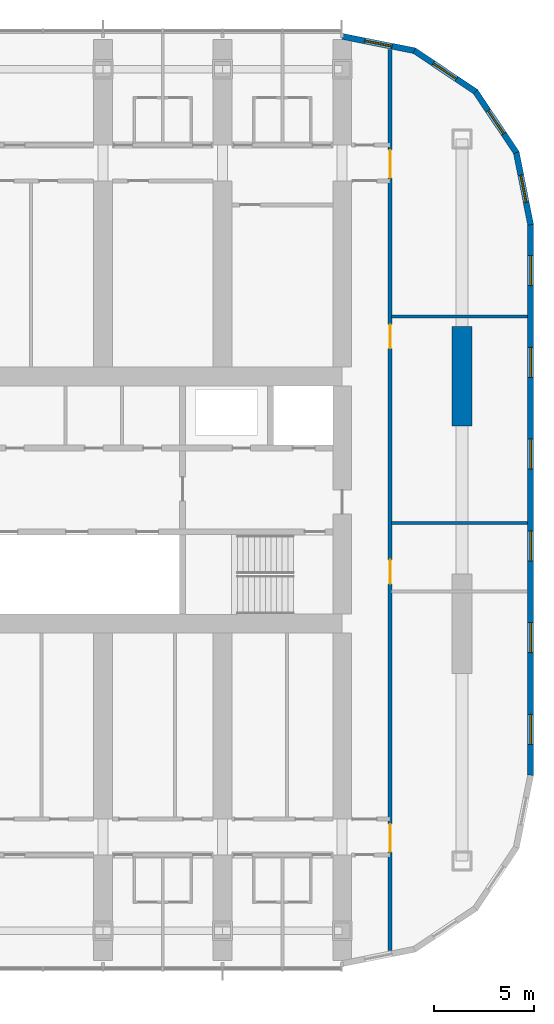
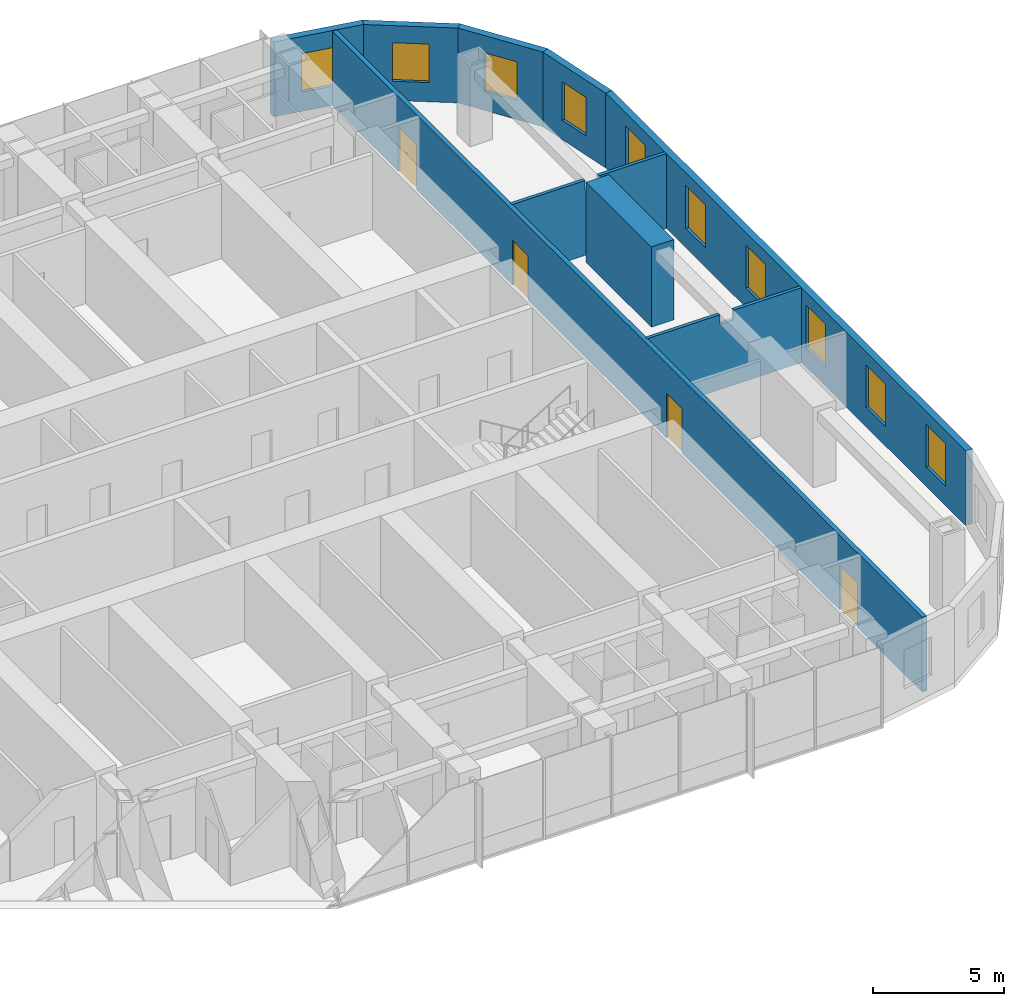
# One storey, part 16 of 21: 10 windows, 9 walls, 4 doors, 14 openings.
"""IFC4 building model written with IfcOpenShell, lengths in metres."""

from ifc_helpers import new_model, si_unit, direction, frame, frame_2d, origin, place, context, subcontext, project, spatial, polyline, rectangle, outline, extrude, material, layer, layer_set, type_object, element, fill, save


model = new_model("IFC4")

# Units and contexts
model_context = context("Model", 3, precision=1e-05, world=origin(), true_north=direction((0.0, 1.0)))
body_context = subcontext(model_context, "Body", "Model", "MODEL_VIEW")
ifc_project = project(units=[si_unit("LENGTHUNIT", "METRE"), si_unit("AREAUNIT", "SQUARE_METRE"), si_unit("VOLUMEUNIT", "CUBIC_METRE"), si_unit("PLANEANGLEUNIT", "RADIAN"), si_unit("MASSUNIT", "GRAM", prefix="KILO")], contexts=[model_context])

# Site, building, storey
site_placement = place(None, origin())
site = spatial("IfcSite", under=ifc_project, at=site_placement, CompositionType="ELEMENT")
building_placement = place(site_placement, origin())
building = spatial("IfcBuilding", under=site, at=building_placement, Name="Orbita Commons", CompositionType="ELEMENT")
storey_placement = place(building_placement, frame((0.0, 0.0, 91.89990234375)))
storey = spatial("IfcBuildingStorey", under=building, at=storey_placement, Name="L22", CompositionType="ELEMENT", Elevation=91.89990234375)

# Wall, openings, doors
ifc_material_1 = material(Name="Concrete blockwork", Category="masonry")
ifc_layer_1 = layer(ifc_material_1, 0.199951171875)
ifc_layer_set_1 = layer_set([ifc_layer_1], Name="Concrete blockwork")
wall_type_1 = type_object("IfcWallType", Name="Corridor wall 200 blockwork", PredefinedType="SOLIDWALL", material=ifc_layer_set_1)
wall_1_placement = place(storey_placement, frame((68.39990234375, 9.4052734375, 0.0), z_axis=(0.0, 0.0, 1.0), x_axis=(0.0, 1.0, 0.0)))
wall_1 = element("IfcWall", 1, at=wall_1_placement, inside=storey, type_object=wall_type_1, Name="Corridor wall 200 blockwork L22", PredefinedType="SOLIDWALL", context=body_context, shape_type="SweptSolid", body=[
    extrude(rectangle(XDim=45.189453125, YDim=0.199951171875, at=frame_2d((22.5947265625, 0.0))), origin(), (0.0, 0.0, 1.0), 3.5),
])
opening_1_placement = place(wall_1_placement, frame((18.394775390625, 0.0, 0.0)))
opening_1 = element("IfcOpeningElement", 2, at=opening_1_placement, cuts=wall_1, Name="Opening D15", PredefinedType="OPENING", context=body_context, shape_type="SweptSolid", body=[
    extrude(rectangle(XDim=1.199951171875, YDim=2.10009765625, at=frame_2d((0.60009765625, 1.050048828125))), frame((0.0, 0.10986328125, 0.0), z_axis=(0.0, -1.0, 0.0), x_axis=(1.0, 0.0, 0.0)), (0.0, 0.0, 1.0), 0.219970703125),
])
opening_2_placement = place(wall_1_placement, frame((30.19482421875, 0.0, 0.0)))
opening_2 = element("IfcOpeningElement", 3, at=opening_2_placement, cuts=wall_1, Name="Opening D15", PredefinedType="OPENING", context=body_context, shape_type="SweptSolid", body=[
    extrude(rectangle(XDim=1.199951171875, YDim=2.10009765625, at=frame_2d((0.60009765625, 1.050048828125))), frame((0.0, 0.10986328125, 0.0), z_axis=(0.0, -1.0, 0.0), x_axis=(1.0, 0.0, 0.0)), (0.0, 0.0, 1.0), 0.219970703125),
])
opening_3_placement = place(wall_1_placement, frame((4.94482421875, 0.0, 0.0)))
opening_3 = element("IfcOpeningElement", 4, at=opening_3_placement, cuts=wall_1, Name="Opening D08", PredefinedType="OPENING", context=body_context, shape_type="SweptSolid", body=[
    extrude(rectangle(XDim=1.39990234375, YDim=2.10009765625, at=frame_2d((0.699951171875, 1.050048828125))), frame((0.0, 0.10986328125, 0.0), z_axis=(0.0, -1.0, 0.0), x_axis=(1.0, 0.0, 0.0)), (0.0, 0.0, 1.0), 0.219970703125),
])
opening_4_placement = place(wall_1_placement, frame((38.74462890625, 0.0, 0.0)))
opening_4 = element("IfcOpeningElement", 5, at=opening_4_placement, cuts=wall_1, Name="Opening D08", PredefinedType="OPENING", context=body_context, shape_type="SweptSolid", body=[
    extrude(rectangle(XDim=1.39990234375, YDim=2.10009765625, at=frame_2d((0.699951171875, 1.050048828125))), frame((0.0, 0.10986328125, 0.0), z_axis=(0.0, -1.0, 0.0), x_axis=(1.0, 0.0, 0.0)), (0.0, 0.0, 1.0), 0.219970703125),
])
ifc_material_2 = material(Name="Steel-faced fire door leaf", Category="steel")
door_type_1 = type_object("IfcDoorType", Name="Corridor door 20 min 1200x2100", OperationType="SINGLE_SWING_LEFT", PredefinedType="DOOR", material=ifc_material_2)
door_1_placement = place(opening_1_placement, origin())
door_1 = element("IfcDoor", 6, at=door_1_placement, inside=storey, type_object=door_type_1, Name="Mountain-view lounge door", OperationType="SINGLE_SWING_LEFT", OverallHeight=2.10009765625, OverallWidth=1.199951171875, PredefinedType="DOOR", context=body_context, shape_type="SweptSolid", body=[
    extrude(rectangle(XDim=1.199951171875, YDim=2.10009765625, at=frame_2d((0.60009765625, 1.050048828125))), frame((0.0, 0.02490234375, 0.0), z_axis=(0.0, -1.0, 0.0), x_axis=(1.0, 0.0, 0.0)), (0.0, 0.0, 1.0), 0.050048828125),
])
fill(opening_1, door_1)
door_2_placement = place(opening_2_placement, origin())
door_2 = element("IfcDoor", 7, at=door_2_placement, inside=storey, type_object=door_type_1, Name="Reading room door", OperationType="SINGLE_SWING_LEFT", OverallHeight=2.10009765625, OverallWidth=1.199951171875, PredefinedType="DOOR", context=body_context, shape_type="SweptSolid", body=[
    extrude(rectangle(XDim=1.199951171875, YDim=2.10009765625, at=frame_2d((0.60009765625, 1.050048828125))), frame((0.0, 0.02490234375, 0.0), z_axis=(0.0, -1.0, 0.0), x_axis=(1.0, 0.0, 0.0)), (0.0, 0.0, 1.0), 0.050048828125),
])
fill(opening_2, door_2)
ifc_material_3 = material(Name="Steel-faced fire door leaf", Category="steel")
door_type_2 = type_object("IfcDoorType", Name="Double corridor door 20 min 1400x2100", OperationType="DOUBLE_DOOR_SINGLE_SWING", PredefinedType="DOOR", material=ifc_material_3)
door_3_placement = place(opening_3_placement, origin())
door_3 = element("IfcDoor", 8, at=door_3_placement, inside=storey, type_object=door_type_2, Name="Lounge doors", OperationType="DOUBLE_DOOR_SINGLE_SWING", OverallHeight=2.10009765625, OverallWidth=1.39990234375, PredefinedType="DOOR", context=body_context, shape_type="SweptSolid", body=[
    extrude(rectangle(XDim=1.39990234375, YDim=2.10009765625, at=frame_2d((0.699951171875, 1.050048828125))), frame((0.0, 0.02490234375, 0.0), z_axis=(0.0, -1.0, 0.0), x_axis=(1.0, 0.0, 0.0)), (0.0, 0.0, 1.0), 0.050048828125),
])
fill(opening_3, door_3)
door_4_placement = place(opening_4_placement, origin())
door_4 = element("IfcDoor", 9, at=door_4_placement, inside=storey, type_object=door_type_2, Name="Lounge doors", OperationType="DOUBLE_DOOR_SINGLE_SWING", OverallHeight=2.10009765625, OverallWidth=1.39990234375, PredefinedType="DOOR", context=body_context, shape_type="SweptSolid", body=[
    extrude(rectangle(XDim=1.39990234375, YDim=2.10009765625, at=frame_2d((0.699951171875, 1.050048828125))), frame((0.0, 0.02490234375, 0.0), z_axis=(0.0, -1.0, 0.0), x_axis=(1.0, 0.0, 0.0)), (0.0, 0.0, 1.0), 0.050048828125),
])
fill(opening_4, door_4)

# Walls
ifc_material_4 = material(Name="Concrete C50/60", Category="concrete")
ifc_layer_2 = layer(ifc_material_4, 1.0)
ifc_layer_set_2 = layer_set([ifc_layer_2], Name="Concrete C50/60")
wall_type_2 = type_object("IfcWallType", Name="End pier 1000x5000 C50/60", PredefinedType="SHEAR", material=ifc_layer_set_2)
wall_2_placement = place(storey_placement, frame((72.0, 35.699951171875, 0.0), z_axis=(0.0, 0.0, 1.0), x_axis=(0.0, 1.0, 0.0)))
element("IfcWall", 10, at=wall_2_placement, inside=storey, type_object=wall_type_2, Name="End pier 13/D L22", PredefinedType="SHEAR", context=body_context, shape_type="SweptSolid", body=[
    extrude(rectangle(XDim=5.0, YDim=1.0, at=frame_2d((2.5, 0.0))), origin(), (0.0, 0.0, 1.0), 3.75),
])
ifc_material_5 = material(Name="Gypsum plasterboard on steel studs", Category="steel")
ifc_layer_3 = layer(ifc_material_5, 0.14990234375)
ifc_layer_set_3 = layer_set([ifc_layer_3], Name="Gypsum plasterboard on steel studs")
wall_type_3 = type_object("IfcWallType", Name="Partition 150 plasterboard", PredefinedType="PARTITIONING", material=ifc_layer_set_3)
for number, where, z_axis, x_axis, name in (
    (11, (68.47509765625, 30.85009765625, 0.0), (0.0, 0.0, 1.0), (1.0, 0.0, 0.0), "Partition 150 plasterboard L22"),
    (12, (68.47509765625, 41.199951171875, 0.0), (0.0, 0.0, 1.0), (1.0, 0.0, 0.0), "Partition 150 plasterboard L22"),
):
    element("IfcWall", number, at=place(storey_placement, frame(where, z_axis=z_axis, x_axis=x_axis)), inside=storey, type_object=wall_type_3, Name=name, PredefinedType="PARTITIONING", context=body_context, shape_type="SweptSolid", body=[
        extrude(outline(polyline([(0.0, 0.0), (6.81982421875, 0.0), (6.820068359375, 3.5), (3.826904296875, 3.5), (3.824951171875, 3.050048828125), (3.22705078125, 3.050048828125), (3.22509765625, 3.5), (0.0, 3.5), (0.0, 0.0)])), frame((0.0, 0.074951171875, 0.0), z_axis=(0.0, -1.0, 0.0), x_axis=(1.0, 0.0, 0.0)), (0.0, 0.0, 1.0), 0.14990234375),
    ])

# Wall, openings, windows
ifc_material_6 = material(Name="Precast concrete C40/50, white board-marked finish", Category="concrete")
ifc_layer_4 = layer(ifc_material_6, 0.300048828125)
ifc_layer_set_4 = layer_set([ifc_layer_4], Name="Precast concrete C40/50, white board-marked finish")
wall_type_4 = type_object("IfcWallType", Name="Precast concrete end shield 300", PredefinedType="SOLIDWALL", material=ifc_layer_set_4)
wall_3_placement = place(storey_placement, frame((75.449951171875, 18.199951171875, 0.0), z_axis=(0.0, 0.0, 1.0), x_axis=(0.0, 1.0, 0.0)))
wall_3 = element("IfcWall", 13, at=wall_3_placement, inside=storey, type_object=wall_type_4, Name="End shield E L22", PredefinedType="SOLIDWALL", context=body_context, shape_type="SweptSolid", body=[
    extrude(outline(polyline([(-0.014892578125, -0.14990234375), (27.614990234375, -0.14990234375), (27.585205078125, 0.14990234375), (0.014892578125, 0.14990234375), (-0.014892578125, -0.14990234375)])), origin(), (0.0, 0.0, 1.0), 3.5),
])
opening_5_placement = place(wall_3_placement, frame((1.550048828125, 0.0, 0.89990234375)))
opening_5 = element("IfcOpeningElement", 14, at=opening_5_placement, cuts=wall_3, Name="Opening W01", PredefinedType="OPENING", context=body_context, shape_type="SweptSolid", body=[
    extrude(rectangle(XDim=1.5, YDim=2.0, at=frame_2d((0.75, 1.0))), frame((0.0, 0.159912109375, 0.0), z_axis=(0.0, -1.0, 0.0), x_axis=(1.0, 0.0, 0.0)), (0.0, 0.0, 1.0), 0.320068359375),
])
opening_6_placement = place(wall_3_placement, frame((6.14990234375, 0.0, 0.89990234375)))
opening_6 = element("IfcOpeningElement", 15, at=opening_6_placement, cuts=wall_3, Name="Opening W01", PredefinedType="OPENING", context=body_context, shape_type="SweptSolid", body=[
    extrude(rectangle(XDim=1.5, YDim=2.0, at=frame_2d((0.75, 1.0))), frame((0.0, 0.159912109375, 0.0), z_axis=(0.0, -1.0, 0.0), x_axis=(1.0, 0.0, 0.0)), (0.0, 0.0, 1.0), 0.320068359375),
])
opening_7_placement = place(wall_3_placement, frame((10.75, 0.0, 0.89990234375)))
opening_7 = element("IfcOpeningElement", 16, at=opening_7_placement, cuts=wall_3, Name="Opening W01", PredefinedType="OPENING", context=body_context, shape_type="SweptSolid", body=[
    extrude(rectangle(XDim=1.5, YDim=2.0, at=frame_2d((0.75, 1.0))), frame((0.0, 0.159912109375, 0.0), z_axis=(0.0, -1.0, 0.0), x_axis=(1.0, 0.0, 0.0)), (0.0, 0.0, 1.0), 0.320068359375),
])
opening_8_placement = place(wall_3_placement, frame((15.35009765625, 0.0, 0.89990234375)))
opening_8 = element("IfcOpeningElement", 17, at=opening_8_placement, cuts=wall_3, Name="Opening W01", PredefinedType="OPENING", context=body_context, shape_type="SweptSolid", body=[
    extrude(rectangle(XDim=1.5, YDim=2.0, at=frame_2d((0.75, 1.0))), frame((0.0, 0.159912109375, 0.0), z_axis=(0.0, -1.0, 0.0), x_axis=(1.0, 0.0, 0.0)), (0.0, 0.0, 1.0), 0.320068359375),
])
opening_9_placement = place(wall_3_placement, frame((19.949951171875, 0.0, 0.89990234375)))
opening_9 = element("IfcOpeningElement", 18, at=opening_9_placement, cuts=wall_3, Name="Opening W01", PredefinedType="OPENING", context=body_context, shape_type="SweptSolid", body=[
    extrude(rectangle(XDim=1.5, YDim=2.0, at=frame_2d((0.75, 1.0))), frame((0.0, 0.159912109375, 0.0), z_axis=(0.0, -1.0, 0.0), x_axis=(1.0, 0.0, 0.0)), (0.0, 0.0, 1.0), 0.320068359375),
])
opening_10_placement = place(wall_3_placement, frame((24.550048828125, 0.0, 0.89990234375)))
opening_10 = element("IfcOpeningElement", 19, at=opening_10_placement, cuts=wall_3, Name="Opening W01", PredefinedType="OPENING", context=body_context, shape_type="SweptSolid", body=[
    extrude(rectangle(XDim=1.5, YDim=2.0, at=frame_2d((0.75, 1.0))), frame((0.0, 0.159912109375, 0.0), z_axis=(0.0, -1.0, 0.0), x_axis=(1.0, 0.0, 0.0)), (0.0, 0.0, 1.0), 0.320068359375),
])
ifc_material_7 = material(Name="Aluminium frame, clear double glazing", Category="aluminium")
window_type_1 = type_object("IfcWindowType", Name="Deep-set window 1500x2000", PartitioningType="SINGLE_PANEL", PredefinedType="WINDOW", material=ifc_material_7)
window_1_placement = place(opening_5_placement, origin())
window_1 = element("IfcWindow", 20, at=window_1_placement, inside=storey, type_object=window_type_1, Name="Window L22-E 1", OverallHeight=2.0, OverallWidth=1.5, PartitioningType="SINGLE_PANEL", PredefinedType="WINDOW", context=body_context, shape_type="SweptSolid", body=[
    extrude(rectangle(XDim=1.5, YDim=2.0, at=frame_2d((0.75, 1.0))), frame((0.0, 0.030029296875, 0.0), z_axis=(0.0, -1.0, 0.0), x_axis=(1.0, 0.0, 0.0)), (0.0, 0.0, 1.0), 0.06005859375),
])
fill(opening_5, window_1)
window_2_placement = place(opening_6_placement, origin())
window_2 = element("IfcWindow", 21, at=window_2_placement, inside=storey, type_object=window_type_1, Name="Window L22-E 2", OverallHeight=2.0, OverallWidth=1.5, PartitioningType="SINGLE_PANEL", PredefinedType="WINDOW", context=body_context, shape_type="SweptSolid", body=[
    extrude(rectangle(XDim=1.5, YDim=2.0, at=frame_2d((0.75, 1.0))), frame((0.0, 0.030029296875, 0.0), z_axis=(0.0, -1.0, 0.0), x_axis=(1.0, 0.0, 0.0)), (0.0, 0.0, 1.0), 0.06005859375),
])
fill(opening_6, window_2)
window_3_placement = place(opening_7_placement, origin())
window_3 = element("IfcWindow", 22, at=window_3_placement, inside=storey, type_object=window_type_1, Name="Window L22-E 3", OverallHeight=2.0, OverallWidth=1.5, PartitioningType="SINGLE_PANEL", PredefinedType="WINDOW", context=body_context, shape_type="SweptSolid", body=[
    extrude(rectangle(XDim=1.5, YDim=2.0, at=frame_2d((0.75, 1.0))), frame((0.0, 0.030029296875, 0.0), z_axis=(0.0, -1.0, 0.0), x_axis=(1.0, 0.0, 0.0)), (0.0, 0.0, 1.0), 0.06005859375),
])
fill(opening_7, window_3)
window_4_placement = place(opening_8_placement, origin())
window_4 = element("IfcWindow", 23, at=window_4_placement, inside=storey, type_object=window_type_1, Name="Window L22-E 4", OverallHeight=2.0, OverallWidth=1.5, PartitioningType="SINGLE_PANEL", PredefinedType="WINDOW", context=body_context, shape_type="SweptSolid", body=[
    extrude(rectangle(XDim=1.5, YDim=2.0, at=frame_2d((0.75, 1.0))), frame((0.0, 0.030029296875, 0.0), z_axis=(0.0, -1.0, 0.0), x_axis=(1.0, 0.0, 0.0)), (0.0, 0.0, 1.0), 0.06005859375),
])
fill(opening_8, window_4)
window_5_placement = place(opening_9_placement, origin())
window_5 = element("IfcWindow", 24, at=window_5_placement, inside=storey, type_object=window_type_1, Name="Window L22-E 5", OverallHeight=2.0, OverallWidth=1.5, PartitioningType="SINGLE_PANEL", PredefinedType="WINDOW", context=body_context, shape_type="SweptSolid", body=[
    extrude(rectangle(XDim=1.5, YDim=2.0, at=frame_2d((0.75, 1.0))), frame((0.0, 0.030029296875, 0.0), z_axis=(0.0, -1.0, 0.0), x_axis=(1.0, 0.0, 0.0)), (0.0, 0.0, 1.0), 0.06005859375),
])
fill(opening_9, window_5)
window_6_placement = place(opening_10_placement, origin())
window_6 = element("IfcWindow", 25, at=window_6_placement, inside=storey, type_object=window_type_1, Name="Window L22-E 6", OverallHeight=2.0, OverallWidth=1.5, PartitioningType="SINGLE_PANEL", PredefinedType="WINDOW", context=body_context, shape_type="SweptSolid", body=[
    extrude(rectangle(XDim=1.5, YDim=2.0, at=frame_2d((0.75, 1.0))), frame((0.0, 0.030029296875, 0.0), z_axis=(0.0, -1.0, 0.0), x_axis=(1.0, 0.0, 0.0)), (0.0, 0.0, 1.0), 0.06005859375),
])
fill(opening_10, window_6)

# Wall, opening, window
wall_4_placement = place(storey_placement, frame((75.449951171875, 45.800048828125, 0.0), z_axis=(0.0, 0.0, 1.0), x_axis=(-0.195059183267, 0.980791473772, 0.0)))
wall_4 = element("IfcWall", 26, at=wall_4_placement, inside=storey, type_object=wall_type_4, Name="End shield NE chord 1 L22", PredefinedType="SOLIDWALL", context=body_context, shape_type="SweptSolid", body=[
    extrude(outline(polyline([(-0.014892578125, -0.14990234375), (3.717041015625, -0.14990234375), (3.657470703125, 0.14990234375), (0.014892578125, 0.14990234375), (-0.014892578125, -0.14990234375)])), origin(), (0.0, 0.0, 1.0), 3.5),
])
opening_11_placement = place(wall_4_placement, frame((1.1435546875, 0.0, 0.89990234375)))
opening_11 = element("IfcOpeningElement", 27, at=opening_11_placement, cuts=wall_4, Name="Opening W02", PredefinedType="OPENING", context=body_context, shape_type="SweptSolid", body=[
    extrude(rectangle(XDim=1.39990234375, YDim=1.800048828125, at=frame_2d((0.699951171875, 0.89990234375))), frame((0.0, 0.159912109375, 0.0), z_axis=(0.0, -1.0, 0.0), x_axis=(1.0, 0.0, 0.0)), (0.0, 0.0, 1.0), 0.320068359375),
])
ifc_material_8 = material(Name="Aluminium frame, clear double glazing", Category="aluminium")
window_type_2 = type_object("IfcWindowType", Name="Deep-set window 1400x1800", PartitioningType="SINGLE_PANEL", PredefinedType="WINDOW", material=ifc_material_8)
window_7_placement = place(opening_11_placement, origin())
window_7 = element("IfcWindow", 28, at=window_7_placement, inside=storey, type_object=window_type_2, Name="Window L22-NE0", OverallHeight=1.800048828125, OverallWidth=1.39990234375, PartitioningType="SINGLE_PANEL", PredefinedType="WINDOW", context=body_context, shape_type="SweptSolid", body=[
    extrude(rectangle(XDim=1.39990234375, YDim=1.800048828125, at=frame_2d((0.699951171875, 0.89990234375))), frame((0.0, 0.030029296875, 0.0), z_axis=(0.0, -1.0, 0.0), x_axis=(1.0, 0.0, 0.0)), (0.0, 0.0, 1.0), 0.06005859375),
])
fill(opening_11, window_7)

wall_5_placement = place(storey_placement, frame((74.730712890625, 49.41650390625, 0.0), z_axis=(0.0, 0.0, 1.0), x_axis=(-0.555601399253, 0.831448786846, 0.0)))
wall_5 = element("IfcWall", 29, at=wall_5_placement, inside=storey, type_object=wall_type_4, Name="End shield NE chord 2 L22", PredefinedType="SOLIDWALL", context=body_context, shape_type="SweptSolid", body=[
    extrude(outline(polyline([(-0.02978515625, -0.14990234375), (3.717041015625, -0.14990234375), (3.657470703125, 0.14990234375), (0.02978515625, 0.14990234375), (-0.02978515625, -0.14990234375)])), origin(), (0.0, 0.0, 1.0), 3.5),
])
opening_12_placement = place(wall_5_placement, frame((1.1435546875, 0.0, 0.89990234375)))
opening_12 = element("IfcOpeningElement", 30, at=opening_12_placement, cuts=wall_5, Name="Opening W02", PredefinedType="OPENING", context=body_context, shape_type="SweptSolid", body=[
    extrude(rectangle(XDim=1.39990234375, YDim=1.800048828125, at=frame_2d((0.699951171875, 0.89990234375))), frame((0.0, 0.159912109375, 0.0), z_axis=(0.0, -1.0, 0.0), x_axis=(1.0, 0.0, 0.0)), (0.0, 0.0, 1.0), 0.320068359375),
])
window_8_placement = place(opening_12_placement, origin())
window_8 = element("IfcWindow", 31, at=window_8_placement, inside=storey, type_object=window_type_2, Name="Window L22-NE1", OverallHeight=1.800048828125, OverallWidth=1.39990234375, PartitioningType="SINGLE_PANEL", PredefinedType="WINDOW", context=body_context, shape_type="SweptSolid", body=[
    extrude(rectangle(XDim=1.39990234375, YDim=1.800048828125, at=frame_2d((0.699951171875, 0.89990234375))), frame((0.0, 0.030029296875, 0.0), z_axis=(0.0, -1.0, 0.0), x_axis=(1.0, 0.0, 0.0)), (0.0, 0.0, 1.0), 0.06005859375),
])
fill(opening_12, window_8)

wall_6_placement = place(storey_placement, frame((72.68212890625, 52.482177734375, 0.0), z_axis=(0.0, 0.0, 1.0), x_axis=(-0.831448786846, 0.555601399253, 0.0)))
wall_6 = element("IfcWall", 32, at=wall_6_placement, inside=storey, type_object=wall_type_4, Name="End shield NE chord 3 L22", PredefinedType="SOLIDWALL", context=body_context, shape_type="SweptSolid", body=[
    extrude(outline(polyline([(-0.02978515625, -0.14990234375), (3.717041015625, -0.14990234375), (3.657470703125, 0.14990234375), (0.02978515625, 0.14990234375), (-0.02978515625, -0.14990234375)])), origin(), (0.0, 0.0, 1.0), 3.5),
])
opening_13_placement = place(wall_6_placement, frame((1.1435546875, 0.0, 0.89990234375)))
opening_13 = element("IfcOpeningElement", 33, at=opening_13_placement, cuts=wall_6, Name="Opening W02", PredefinedType="OPENING", context=body_context, shape_type="SweptSolid", body=[
    extrude(rectangle(XDim=1.39990234375, YDim=1.800048828125, at=frame_2d((0.699951171875, 0.89990234375))), frame((0.0, 0.159912109375, 0.0), z_axis=(0.0, -1.0, 0.0), x_axis=(1.0, 0.0, 0.0)), (0.0, 0.0, 1.0), 0.320068359375),
])
window_9_placement = place(opening_13_placement, origin())
window_9 = element("IfcWindow", 34, at=window_9_placement, inside=storey, type_object=window_type_2, Name="Window L22-NE2", OverallHeight=1.800048828125, OverallWidth=1.39990234375, PartitioningType="SINGLE_PANEL", PredefinedType="WINDOW", context=body_context, shape_type="SweptSolid", body=[
    extrude(rectangle(XDim=1.39990234375, YDim=1.800048828125, at=frame_2d((0.699951171875, 0.89990234375))), frame((0.0, 0.030029296875, 0.0), z_axis=(0.0, -1.0, 0.0), x_axis=(1.0, 0.0, 0.0)), (0.0, 0.0, 1.0), 0.06005859375),
])
fill(opening_13, window_9)

wall_7_placement = place(storey_placement, frame((69.616455078125, 54.53076171875, 0.0), z_axis=(0.0, 0.0, 1.0), x_axis=(-0.980791473772, 0.195059183267, 0.0)))
wall_7 = element("IfcWall", 35, at=wall_7_placement, inside=storey, type_object=wall_type_4, Name="End shield NE chord 4 L22", PredefinedType="SOLIDWALL", context=body_context, shape_type="SweptSolid", body=[
    extrude(outline(polyline([(-0.02978515625, -0.14990234375), (3.717041015625, -0.14990234375), (3.657470703125, 0.14990234375), (0.02978515625, 0.14990234375), (-0.02978515625, -0.14990234375)])), origin(), (0.0, 0.0, 1.0), 3.5),
])
opening_14_placement = place(wall_7_placement, frame((1.1435546875, 0.0, 0.89990234375)))
opening_14 = element("IfcOpeningElement", 36, at=opening_14_placement, cuts=wall_7, Name="Opening W02", PredefinedType="OPENING", context=body_context, shape_type="SweptSolid", body=[
    extrude(rectangle(XDim=1.39990234375, YDim=1.800048828125, at=frame_2d((0.699951171875, 0.89990234375))), frame((0.0, 0.159912109375, 0.0), z_axis=(0.0, -1.0, 0.0), x_axis=(1.0, 0.0, 0.0)), (0.0, 0.0, 1.0), 0.320068359375),
])
window_10_placement = place(opening_14_placement, origin())
window_10 = element("IfcWindow", 37, at=window_10_placement, inside=storey, type_object=window_type_2, Name="Window L22-NE3", OverallHeight=1.800048828125, OverallWidth=1.39990234375, PartitioningType="SINGLE_PANEL", PredefinedType="WINDOW", context=body_context, shape_type="SweptSolid", body=[
    extrude(rectangle(XDim=1.39990234375, YDim=1.800048828125, at=frame_2d((0.699951171875, 0.89990234375))), frame((0.0, 0.030029296875, 0.0), z_axis=(0.0, -1.0, 0.0), x_axis=(1.0, 0.0, 0.0)), (0.0, 0.0, 1.0), 0.06005859375),
])
fill(opening_14, window_10)

save(model, "model.ifc")
